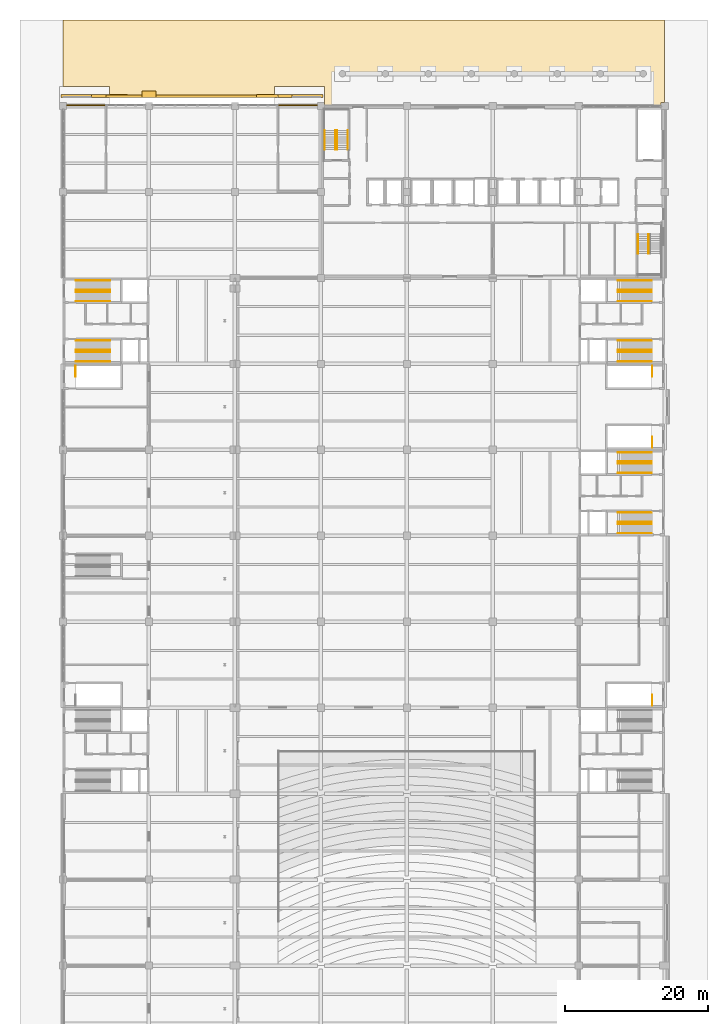
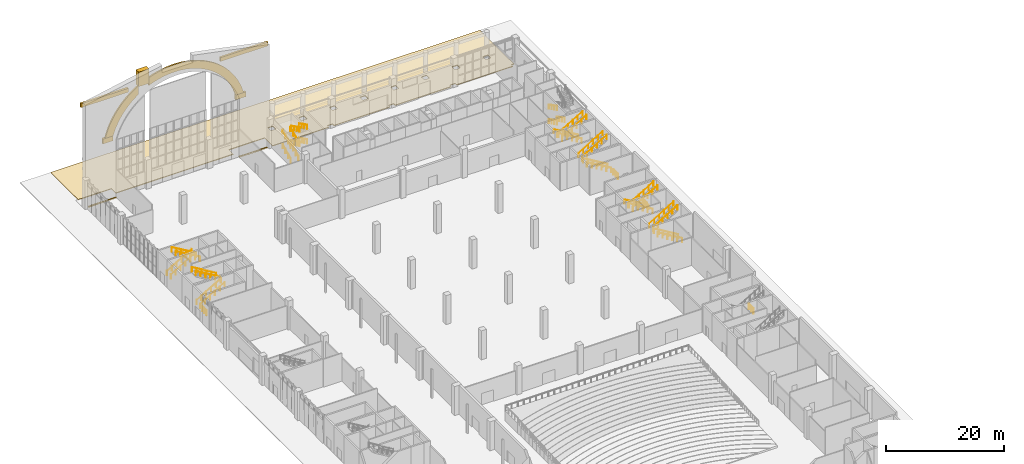
# One storey, part 58 of 59: 39 railings, 10 coverings.
"""IFC4 building model written with IfcOpenShell, lengths in metres."""

import ifcopenshell
import ifcopenshell.guid

model = None  # the IFC model being written
_history = None  # IfcOwnerHistory: only IFC2X3 demands one
_inside = {}  # id of a spatial element -> (the spatial element, [elements in it])
_under = {}  # id of a project, library or spatial element -> (it, [spatial elements below it])
_declared = {}  # id of a project -> (the project, [libraries it declares])
_typed = {}  # id of a type object -> (the type object, [elements of that type])
_made_of = {}  # id of a material, layer set ... -> (it, [elements and type objects made of it])


def new_model(schema):
    """Start an empty IFC model of exactly this schema.

    Asked for "IFC4X3", IfcOpenShell would pick the latest addendum, in which some entities
    have other attributes; the version numbers below select the first issue.
    IFC2X3 requires an IfcOwnerHistory on every rooted entity: one is made here for all.
    """
    global model, _history
    if schema == "IFC4X3":
        model = ifcopenshell.file(schema_version=(4, 3, 0, 0))
    else:
        model = ifcopenshell.file(schema=schema)
    _inside.clear()
    _under.clear()
    _declared.clear()
    _typed.clear()
    _made_of.clear()
    _history = None
    if model.schema == "IFC2X3":
        org = make("IfcOrganization", Name="unknown")
        user = make(
            "IfcPersonAndOrganization",
            ThePerson=make("IfcPerson", FamilyName="unknown"),
            TheOrganization=org,
        )
        app = make(
            "IfcApplication",
            ApplicationDeveloper=org,
            Version="unknown",
            ApplicationFullName="unknown",
            ApplicationIdentifier="unknown",
        )
        _history = make(
            "IfcOwnerHistory",
            OwningUser=user,
            OwningApplication=app,
            ChangeAction="ADDED",
            CreationDate=0,
        )
    return model


def make(cls, **values):
    """One entity of the class cls with the attributes given. An attribute that is None is left unset."""
    return model.create_entity(
        cls, **{name: value for name, value in values.items() if value is not None}
    )


def rooted(cls, **values):
    """An entity with a GlobalId (a new one), such as an element, a storey or a relation."""
    return make(cls, GlobalId=ifcopenshell.guid.new(), OwnerHistory=_history, **values)


def si_unit(unit_type, name, prefix=None):
    """IfcSIUnit, for example si_unit("LENGTHUNIT", "METRE", prefix="MILLI")."""
    return make("IfcSIUnit", UnitType=unit_type, Prefix=prefix, Name=name)


def assignment(units):
    """IfcUnitAssignment: the units of a project."""
    return None if units is None else make("IfcUnitAssignment", Units=units)


def point(xyz):
    """IfcCartesianPoint."""
    return None if xyz is None else make("IfcCartesianPoint", Coordinates=xyz)


def direction(xyz):
    """IfcDirection."""
    return None if xyz is None else make("IfcDirection", DirectionRatios=xyz)


def frame(location, z_axis=None, x_axis=None):
    """IfcAxis2Placement3D, a coordinate frame: its origin and axes. An axis left out is left unset."""
    return make(
        "IfcAxis2Placement3D",
        Location=point(location),
        Axis=direction(z_axis),
        RefDirection=direction(x_axis),
    )


def frame_2d(location, x_axis=None):
    """IfcAxis2Placement2D, a coordinate frame in the plane: its origin and x axis."""
    return make(
        "IfcAxis2Placement2D", Location=point(location), RefDirection=direction(x_axis)
    )


def origin():
    """The frame at (0, 0, 0) with its axes left unset."""
    return frame((0.0, 0.0, 0.0))


def origin_2d():
    """The frame at (0, 0) in the plane with its x axis left unset."""
    return frame_2d((0.0, 0.0))


def place(relative_to, where):
    """IfcLocalPlacement: puts the frame where relative to a parent placement (None: the world)."""
    return make(
        "IfcLocalPlacement", PlacementRelTo=relative_to, RelativePlacement=where
    )


def context(
    kind, dimensions, precision=None, world=None, true_north=None, identifier=None
):
    """IfcGeometricRepresentationContext, for example the 3D "Model" context."""
    return make(
        "IfcGeometricRepresentationContext",
        ContextIdentifier=identifier,
        ContextType=kind,
        CoordinateSpaceDimension=dimensions,
        Precision=precision,
        WorldCoordinateSystem=world,
        TrueNorth=true_north,
    )


def subcontext(parent, identifier, kind, view, scale=None):
    """IfcGeometricRepresentationSubContext, for example "Body" below "Model"."""
    return make(
        "IfcGeometricRepresentationSubContext",
        ContextIdentifier=identifier,
        ContextType=kind,
        ParentContext=parent,
        TargetScale=scale,
        TargetView=view,
    )


def project(units=None, contexts=None):
    """IfcProject with its units and contexts."""
    return rooted(
        "IfcProject",
        Name="project",
        RepresentationContexts=contexts,
        UnitsInContext=assignment(units),
    )


def spatial(cls, under=None, at=None, **own):
    """A site, building, storey or space (cls), placed at a placement, below another one or the project."""
    s = rooted(cls, ObjectPlacement=at, **own)
    if under is not None:
        _under.setdefault(under.id(), (under, []))[1].append(s)
    return s


def polyline(points):
    """IfcPolyline through the points."""
    return make("IfcPolyline", Points=[point(p) for p in points])


def profile(cls, at=None, kind="AREA", **sizes):
    """A parametric profile (cls). Its sizes go by their IFC names, for example OverallWidth=200.0."""
    return make(cls, ProfileType=kind, Position=at, **sizes)


def rectangle(**sizes):
    """IfcRectangleProfileDef."""
    return profile("IfcRectangleProfileDef", **sizes)


def circle(**sizes):
    """IfcCircleProfileDef."""
    return profile("IfcCircleProfileDef", **sizes)


def outline(outer, holes=None, kind="AREA"):
    """IfcArbitraryClosedProfileDef: a profile drawn as a closed curve; with holes, ...WithVoids."""
    if holes is None:
        return make("IfcArbitraryClosedProfileDef", ProfileType=kind, OuterCurve=outer)
    return make(
        "IfcArbitraryProfileDefWithVoids",
        ProfileType=kind,
        OuterCurve=outer,
        InnerCurves=holes,
    )


def extrude(swept, where, along, depth):
    """IfcExtrudedAreaSolid: the profile swept, set in the frame where, extruded along a direction by depth."""
    return make(
        "IfcExtrudedAreaSolid",
        SweptArea=swept,
        Position=where,
        ExtrudedDirection=direction(along),
        Depth=depth,
    )


def shape(context_of_items, identifier, shape_type, items):
    """IfcShapeRepresentation: the items that make up one representation, for example the "Body"."""
    return make(
        "IfcShapeRepresentation",
        ContextOfItems=context_of_items,
        RepresentationIdentifier=identifier,
        RepresentationType=shape_type,
        Items=items,
    )


def material(Name=None, Category=None):
    """IfcMaterial."""
    return make("IfcMaterial", Name=Name, Category=Category)


def layer(
    of_material, thickness, ventilated=None, Name=None, Category=None, Priority=None
):
    """IfcMaterialLayer: one layer of a wall or slab, of a material (None: an air gap)."""
    return make(
        "IfcMaterialLayer",
        Material=of_material,
        LayerThickness=thickness,
        IsVentilated=ventilated,
        Name=Name,
        Category=Category,
        Priority=Priority,
    )


def layer_set(layers, Name=None):
    """IfcMaterialLayerSet."""
    return make("IfcMaterialLayerSet", MaterialLayers=layers, LayerSetName=Name)


def constituent(of_material, Name=None, Category=None, fraction=None):
    """IfcMaterialConstituent: one of the materials an element consists of."""
    return make(
        "IfcMaterialConstituent",
        Name=Name,
        Material=of_material,
        Fraction=fraction,
        Category=Category,
    )


def constituent_set(constituents=None, Name=None):
    """IfcMaterialConstituentSet."""
    return make(
        "IfcMaterialConstituentSet", Name=Name, MaterialConstituents=constituents
    )


def made_of(thing, what):
    """Note that an element or type object is made of a material, layer set ...; save() writes the relation."""
    if what is not None:
        _made_of.setdefault(what.id(), (what, []))[1].append(thing)
    return thing


def type_object(cls, material=None, **own):
    """A type object (cls), such as IfcWallType, which elements share."""
    return made_of(rooted(cls, **own), material)


def element(
    cls,
    number,
    at=None,
    inside=None,
    cuts=None,
    type_object=None,
    material=None,
    context=None,
    identifier="Body",
    shape_type=None,
    held_by="IfcProductDefinitionShape",
    body=None,
    shapes=None,
    **own,
):
    """One element of the class cls, such as IfcWall. Its Tag is "e" and its number.

    at: its placement. inside: the storey or other place that contains it. cuts: it is an
    opening in that element (IfcRelVoidsElement). A single representation is given by context,
    identifier, shape_type and body (its items); several are given by shapes. held_by: the class
    of the entity that holds the representations. save() writes the other relations.
    """
    e = rooted(cls, Tag="e%d" % number, ObjectPlacement=at, **own)
    if body is not None:
        shapes = [shape(context, identifier, shape_type, body)]
    if shapes is not None:
        e.Representation = make(held_by, Representations=shapes)
    if inside is not None:
        _inside.setdefault(inside.id(), (inside, []))[1].append(e)
    if cuts is not None:
        rooted(
            "IfcRelVoidsElement", RelatingBuildingElement=cuts, RelatedOpeningElement=e
        )
    if type_object is not None:
        _typed.setdefault(type_object.id(), (type_object, []))[1].append(e)
    return made_of(e, material)


def aggregate(whole, parts):
    """IfcRelAggregates: a whole, such as a stair, and the parts it consists of."""
    return rooted("IfcRelAggregates", RelatingObject=whole, RelatedObjects=parts)


def save(model, path):
    """Write the relations noted so far, then the file.

    IfcRelAggregates (storeys below a building ...), IfcRelContainedInSpatialStructure (elements
    in a storey), IfcRelDefinesByType, IfcRelAssociatesMaterial and IfcRelDeclares: one each for
    every whole, place, type object, material and project.
    """
    for whole, parts in _under.values():
        aggregate(whole, parts)
    for where, things in _inside.values():
        rooted(
            "IfcRelContainedInSpatialStructure",
            RelatedElements=things,
            RelatingStructure=where,
        )
    for kind, things in _typed.values():
        rooted("IfcRelDefinesByType", RelatedObjects=things, RelatingType=kind)
    for what, things in _made_of.values():
        rooted("IfcRelAssociatesMaterial", RelatedObjects=things, RelatingMaterial=what)
    for by, libraries in _declared.values():
        rooted("IfcRelDeclares", RelatingContext=by, RelatedDefinitions=libraries)
    model.write(path)


model = new_model("IFC4")

# Units and contexts
model_context = context("Model", 3, precision=1e-05, world=origin(), true_north=direction((0.0, 1.0)))
body_context = subcontext(model_context, "Body", "Model", "MODEL_VIEW")
ifc_project = project(units=[si_unit("LENGTHUNIT", "METRE"), si_unit("AREAUNIT", "SQUARE_METRE"), si_unit("VOLUMEUNIT", "CUBIC_METRE"), si_unit("PLANEANGLEUNIT", "RADIAN"), si_unit("MASSUNIT", "GRAM", prefix="KILO")], contexts=[model_context])

# Site, building, storey
site_placement = place(None, origin())
site = spatial("IfcSite", under=ifc_project, at=site_placement, CompositionType="ELEMENT")
building_placement = place(site_placement, origin())
building = spatial("IfcBuilding", under=site, at=building_placement, Name="Lilac Gate Convention Centre", CompositionType="ELEMENT")
storey_placement = place(building_placement, origin())
storey = spatial("IfcBuildingStorey", under=building, at=storey_placement, Name="L00", CompositionType="ELEMENT", Elevation=0.0)

# Railings
ifc_material_1 = material(Name="Steel Q235B", Category="steel")
ifc_constituent_1 = constituent(ifc_material_1, Name="Frame")
ifc_material_2 = material(Name="Safety glass, bonded interlayer", Category="glass")
ifc_constituent_2 = constituent(ifc_material_2, Name="Infill")
ifc_constituent_set = constituent_set(constituents=[ifc_constituent_1, ifc_constituent_2], Name="Steel Q235B, Safety glass, bonded interlayer")
railing_type_1 = type_object("IfcRailingType", Name="Guard 1100 steel and glass", PredefinedType="GUARDRAIL", material=ifc_constituent_set)
for number, where, name in (
    (1, (7.75, 208.199951171875, 0.0), "Stairwell guard BW4"),
    (2, (88.25, 162.300048828125, 0.0), "Stairwell guard BE2"),
    (3, (88.25, 198.300048828125, 0.0), "Stairwell guard BE3"),
    (4, (88.25, 208.199951171875, 0.0), "Stairwell guard BE4"),
):
    element("IfcRailing", number, at=place(storey_placement, frame(where)), inside=storey, type_object=railing_type_1, Name=name, PredefinedType="GUARDRAIL", context=body_context, shape_type="SweptSolid", body=[
        extrude(circle(Radius=0.02392578125, at=origin_2d()), frame((0.0, 0.0, 1.076171875), z_axis=(0.0, 1.0, 0.0), x_axis=(-1.0, 0.0, 0.0)), (0.0, 0.0, 1.0), 1.5),
        extrude(circle(Radius=0.02099609375, at=origin_2d()), origin(), (0.0, 0.0, 1.0), 1.052001953125),
        extrude(circle(Radius=0.02099609375, at=origin_2d()), frame((0.0, 0.75, 0.0)), (0.0, 0.0, 1.0), 1.052001953125),
        extrude(circle(Radius=0.02099609375, at=origin_2d()), frame((0.0, 1.5, 0.0)), (0.0, 0.0, 1.0), 1.052001953125),
    ])

# Coverings
ifc_material_3 = material(Name="Concrete C30", Category="concrete")
ifc_layer_1 = layer(ifc_material_3, 0.14990234375)
ifc_layer_set_1 = layer_set([ifc_layer_1], Name="Concrete C30")
covering_type_1 = type_object("IfcCoveringType", Name="Paving slab 150", PredefinedType="FLOORING", material=ifc_layer_set_1)
covering_1_placement = place(storey_placement, frame((0.0, 0.0, -0.14990234375)))
element("IfcCovering", 5, at=covering_1_placement, inside=storey, type_object=covering_type_1, Name="Forecourt paving 1", PredefinedType="FLOORING", context=body_context, shape_type="SweptSolid", body=[
    extrude(outline(polyline([(6.0, 258.0), (90.0, 258.0), (90.0, 246.5), (89.5, 246.5), (89.5, 246.0), (78.5, 246.0), (78.5, 246.5), (77.5, 246.5), (77.5, 246.0), (66.5, 246.0), (66.5, 246.5), (65.5, 246.5), (65.5, 246.0), (54.5, 246.0), (54.5, 246.5), (53.5, 246.5), (53.5, 246.0), (42.5, 246.0), (42.5, 248.699951171875), (35.5, 248.699951171875), (35.5, 247.199951171875), (12.5, 247.199951171875), (12.5, 248.699951171875), (6.0, 248.699951171875), (6.0, 258.0)]), holes=[polyline([(44.5, 251.0), (44.5, 250.0), (45.5, 250.0), (45.5, 251.0), (44.5, 251.0)]), polyline([(63.5, 251.0), (62.5, 251.0), (62.5, 250.0), (63.5, 250.0), (63.5, 251.0)]), polyline([(50.5, 251.0), (50.5, 250.0), (51.5, 250.0), (51.5, 251.0), (50.5, 251.0)]), polyline([(57.5, 251.0), (56.5, 251.0), (56.5, 250.0), (57.5, 250.0), (57.5, 251.0)]), polyline([(69.5, 251.0), (68.5, 251.0), (68.5, 250.0), (69.5, 250.0), (69.5, 251.0)]), polyline([(74.5, 251.0), (74.5, 250.0), (75.5, 250.0), (75.5, 251.0), (74.5, 251.0)]), polyline([(81.5, 251.0), (80.5, 251.0), (80.5, 250.0), (81.5, 250.0), (81.5, 251.0)]), polyline([(87.5, 251.0), (86.5, 251.0), (86.5, 250.0), (87.5, 250.0), (87.5, 251.0)])]), origin(), (0.0, 0.0, 1.0), 0.14990234375),
])
covering_2_placement = place(storey_placement, frame((0.0, 0.0, -0.14990234375)))
element("IfcCovering", 6, at=covering_2_placement, inside=storey, type_object=covering_type_1, Name="Forecourt paving 2", PredefinedType="FLOORING", context=body_context, shape_type="SweptSolid", body=[
    extrude(outline(polyline([(6.5, 246.0), (6.5, 246.199951171875), (12.0, 246.199951171875), (12.0, 246.0), (6.5, 246.0)])), origin(), (0.0, 0.0, 1.0), 0.14990234375),
])
covering_3_placement = place(storey_placement, frame((0.0, 0.0, -0.14990234375)))
element("IfcCovering", 7, at=covering_3_placement, inside=storey, type_object=covering_type_1, Name="Forecourt paving 3", PredefinedType="FLOORING", context=body_context, shape_type="SweptSolid", body=[
    extrude(outline(polyline([(36.0, 246.0), (36.0, 246.199951171875), (41.5, 246.199951171875), (41.5, 246.0), (36.0, 246.0)])), origin(), (0.0, 0.0, 1.0), 0.14990234375),
])
ifc_material_4 = material(Name="Concrete C40 precast", Category="concrete")
ifc_layer_2 = layer(ifc_material_4, 0.280029296875)
ifc_material_5 = material(Name="Ochre mineral render")
ifc_layer_3 = layer(ifc_material_5, 0.02001953125)
ifc_layer_set_2 = layer_set([ifc_layer_2, ifc_layer_3], Name="Concrete C40 precast, Ochre mineral render")
covering_type_2 = type_object("IfcCoveringType", Name="Portal archivolt 300", PredefinedType="CLADDING", material=ifc_layer_set_2)
covering_4_placement = place(storey_placement, frame((10.444580078125, 247.35009765625, 12.0), z_axis=(0.0, 0.0, 1.0), x_axis=(1.0, 0.0, 0.0)))
element("IfcCovering", 8, at=covering_4_placement, inside=storey, type_object=covering_type_2, Name="Portal archivolt L", PredefinedType="CLADDING", context=body_context, shape_type="SweptSolid", body=[
    extrude(outline(polyline([(0.0, 0.0), (1.555419921875, 0.0), (1.555419921875, 0.0), (2.055419921875, 1.39892578125), (2.555419921875, 2.437255859375), (3.055419921875, 3.2822265625), (3.555419921875, 4.0), (4.055419921875, 4.6240234375), (4.555419921875, 5.1748046875), (5.055419921875, 5.665283203125), (5.555419921875, 6.104736328125), (6.055419921875, 6.5), (6.555419921875, 6.856201171875), (6.555419921875, 8.62451171875), (6.05126953125, 8.31884765625), (5.546875, 7.983154296875), (5.04248046875, 7.614501953125), (4.538330078125, 7.20947265625), (4.0341796875, 6.763671875), (3.52978515625, 6.271728515625), (3.025634765625, 5.726318359375), (2.521240234375, 5.11669921875), (2.01708984375, 4.4287109375), (1.5126953125, 3.6396484375), (1.008544921875, 2.7109375), (0.50439453125, 1.566162109375), (0.0, 0.0), (0.0, 0.0)])), frame((0.0, 0.14990234375, 0.0), z_axis=(0.0, -1.0, 0.0), x_axis=(1.0, 0.0, 0.0)), (0.0, 0.0, 1.0), 0.300048828125),
])
covering_5_placement = place(storey_placement, frame((19.0, 247.35009765625, 12.0), z_axis=(0.0, 0.0, 1.0), x_axis=(1.0, 0.0, 0.0)))
element("IfcCovering", 9, at=covering_5_placement, inside=storey, type_object=covering_type_2, Name="Portal archivolt R", PredefinedType="CLADDING", context=body_context, shape_type="SweptSolid", body=[
    extrude(outline(polyline([(0.0, 7.956298828125), (0.5, 8.161865234375), (1.0, 8.3427734375), (1.5, 8.5), (2.0, 8.634765625), (2.5, 8.747314453125), (3.0, 8.839111328125), (3.5, 8.90966796875), (4.0, 8.9599609375), (4.5, 8.989990234375), (5.0, 9.0), (5.5, 8.989990234375), (6.0, 8.9599609375), (6.5, 8.90966796875), (7.0, 8.839111328125), (7.5, 8.747314453125), (8.0, 8.634765625), (8.5, 8.5), (9.0, 8.3427734375), (9.5, 8.161865234375), (10.0, 7.956298828125), (10.5, 7.72509765625), (11.0, 7.4658203125), (11.5, 7.177001953125), (12.0, 6.856201171875), (12.5, 6.5), (13.0, 6.104736328125), (13.5, 5.665283203125), (14.0, 5.1748046875), (14.5, 4.6240234375), (15.0, 4.0), (15.5, 3.2822265625), (16.0, 2.437255859375), (16.5, 1.39892578125), (17.0, 0.0), (17.0, 0.0), (18.555419921875, 0.0), (18.555419921875, 0.0), (18.053955078125, 1.55908203125), (17.552490234375, 2.69970703125), (17.05078125, 3.62548828125), (16.54931640625, 4.41259765625), (16.0478515625, 5.09912109375), (15.54638671875, 5.707275390625), (15.044921875, 6.251953125), (14.54345703125, 6.7431640625), (14.0419921875, 7.1884765625), (13.54052734375, 7.59326171875), (13.0390625, 7.9619140625), (12.53759765625, 8.297607421875), (12.035888671875, 8.603515625), (11.534423828125, 8.881591796875), (11.032958984375, 9.13330078125), (10.531494140625, 9.36083984375), (10.030029296875, 9.565185546875), (9.528564453125, 9.747314453125), (9.027099609375, 9.908203125), (8.525390625, 10.048828125), (8.02392578125, 10.16943359375), (7.5224609375, 10.27099609375), (7.02099609375, 10.353515625), (6.51953125, 10.417236328125), (6.01806640625, 10.462890625), (5.5166015625, 10.490478515625), (5.014892578125, 10.5), (4.513427734375, 10.491455078125), (4.011962890625, 10.465087890625), (3.510498046875, 10.42041015625), (3.009033203125, 10.357666015625), (2.507568359375, 10.2763671875), (2.006103515625, 10.176025390625), (1.50439453125, 10.056640625), (1.0029296875, 9.917236328125), (0.50146484375, 9.757568359375), (0.0, 9.57666015625), (0.0, 7.956298828125)])), frame((0.0, 0.14990234375, 0.0), z_axis=(0.0, -1.0, 0.0), x_axis=(1.0, 0.0, 0.0)), (0.0, 0.0, 1.0), 0.300048828125),
])
ifc_layer_4 = layer(ifc_material_4, 0.3798828125)
ifc_material_6 = material(Name="Terracotta glazed cladding", Category="masonry")
ifc_layer_5 = layer(ifc_material_6, 0.02001953125)
ifc_layer_set_3 = layer_set([ifc_layer_4, ifc_layer_5], Name="Concrete C40 precast, Terracotta glazed cladding")
covering_type_3 = type_object("IfcCoveringType", Name="Portal impost 400", PredefinedType="CLADDING", material=ifc_layer_set_3)
for number, where, z_axis, x_axis, name in (
    (10, (10.0, 247.39990234375, 11.0), (0.0, 0.0, 1.0), (1.0, 0.0, 0.0), "Portal impost L"),
    (11, (36.0, 247.39990234375, 11.0), (0.0, 0.0, 1.0), (1.0, 0.0, 0.0), "Portal impost R"),
):
    element("IfcCovering", number, at=place(storey_placement, frame(where, z_axis=z_axis, x_axis=x_axis)), inside=storey, type_object=covering_type_3, Name=name, PredefinedType="CLADDING", context=body_context, shape_type="SweptSolid", body=[
        extrude(rectangle(XDim=2.0, YDim=0.39990234375, at=frame_2d((1.0, 0.0))), origin(), (0.0, 0.0, 1.0), 1.0),
    ])
for number, where, z_axis, x_axis, name in (
    (12, (5.699951171875, 247.39990234375, 20.0), (0.0, 0.0, 1.0), (1.0, 0.0, 0.0), "Portal cornice L"),
    (13, (33.0, 247.39990234375, 20.0), (0.0, 0.0, 1.0), (1.0, 0.0, 0.0), "Portal cornice R"),
):
    element("IfcCovering", number, at=place(storey_placement, frame(where, z_axis=z_axis, x_axis=x_axis)), inside=storey, type_object=covering_type_3, Name=name, PredefinedType="CLADDING", context=body_context, shape_type="SweptSolid", body=[
        extrude(rectangle(XDim=9.300048828125, YDim=0.39990234375, at=frame_2d((4.64990234375, 0.0))), origin(), (0.0, 0.0, 1.0), 0.800048828125),
    ])
ifc_layer_6 = layer(ifc_material_4, 0.8798828125)
ifc_layer_7 = layer(ifc_material_6, 0.02001953125)
ifc_layer_set_4 = layer_set([ifc_layer_6, ifc_layer_7], Name="Concrete C40 precast, Terracotta glazed cladding")
covering_type_4 = type_object("IfcCoveringType", Name="Portal keystone 900", PredefinedType="CLADDING", material=ifc_layer_set_4)
covering_6_placement = place(storey_placement, frame((17.0, 247.64990234375, 20.39990234375), z_axis=(0.0, 0.0, 1.0), x_axis=(1.0, 0.0, 0.0)))
element("IfcCovering", 14, at=covering_6_placement, inside=storey, type_object=covering_type_4, Name="Portal keystone", PredefinedType="CLADDING", context=body_context, shape_type="SweptSolid", body=[
    extrude(rectangle(XDim=2.0, YDim=0.89990234375, at=frame_2d((1.0, 0.0))), origin(), (0.0, 0.0, 1.0), 3.0),
])

# Railings
ifc_material_7 = material(Name="Stainless steel 304", Category="steel")
railing_type_2 = type_object("IfcRailingType", Name="Stair handrail", PredefinedType="HANDRAIL", material=ifc_material_7)
for number, where, name in (
    (15, (42.550048828125, 239.89990234375, 0.14990234375), "Handrail NW L00 flight 1"),
    (16, (44.050048828125, 239.89990234375, 0.14990234375), "Handrail NW L00 flight 1"),
):
    element("IfcRailing", number, at=place(storey_placement, frame(where)), inside=storey, type_object=railing_type_2, Name=name, PredefinedType="HANDRAIL", context=body_context, shape_type="SweptSolid", body=[
        extrude(circle(Radius=0.02392578125, at=origin_2d()), frame((0.0, 0.0, 0.8759765625), z_axis=(0.0, 0.894427191, 0.4472135955), x_axis=(-1.0, 0.0, 0.0)), (0.0, 0.0, 1.0), 3.018798828125),
        extrude(circle(Radius=0.02099609375, at=origin_2d()), origin(), (0.0, 0.0, 1.0), 0.851806640625),
        extrude(circle(Radius=0.02099609375, at=origin_2d()), frame((0.0, 0.900146484375, 0.449951171875)), (0.0, 0.0, 1.0), 0.851806640625),
        extrude(circle(Radius=0.02099609375, at=origin_2d()), frame((0.0, 1.800048828125, 0.900146484375)), (0.0, 0.0, 1.0), 0.851806640625),
        extrude(circle(Radius=0.02099609375, at=origin_2d()), frame((0.0, 2.7001953125, 1.35009765625)), (0.0, 0.0, 1.0), 0.851806640625),
    ])
for number, where, name in (
    (17, (45.75, 242.60009765625, 1.64990234375), "Handrail NW L00 flight 2"),
    (18, (44.25, 242.60009765625, 1.64990234375), "Handrail NW L00 flight 2"),
):
    element("IfcRailing", number, at=place(storey_placement, frame(where)), inside=storey, type_object=railing_type_2, Name=name, PredefinedType="HANDRAIL", context=body_context, shape_type="SweptSolid", body=[
        extrude(circle(Radius=0.02392578125, at=origin_2d()), frame((0.0, 0.0, 0.8759765625), z_axis=(0.0, -0.894427191, 0.4472135955), x_axis=(1.0, 0.0, 0.0)), (0.0, 0.0, 1.0), 3.018798828125),
        extrude(circle(Radius=0.02099609375, at=origin_2d()), origin(), (0.0, 0.0, 1.0), 0.851806640625),
        extrude(circle(Radius=0.02099609375, at=origin_2d()), frame((0.0, -0.900146484375, 0.449951171875)), (0.0, 0.0, 1.0), 0.851806640625),
        extrude(circle(Radius=0.02099609375, at=origin_2d()), frame((0.0, -1.800048828125, 0.900146484375)), (0.0, 0.0, 1.0), 0.851806640625),
        extrude(circle(Radius=0.02099609375, at=origin_2d()), frame((0.0, -2.7001953125, 1.35009765625)), (0.0, 0.0, 1.0), 0.851806640625),
    ])
for number, where, name in (
    (19, (42.550048828125, 239.89990234375, 3.14990234375), "Handrail NW L00 flight 3"),
    (20, (44.050048828125, 239.89990234375, 3.14990234375), "Handrail NW L00 flight 3"),
):
    element("IfcRailing", number, at=place(storey_placement, frame(where)), inside=storey, type_object=railing_type_2, Name=name, PredefinedType="HANDRAIL", context=body_context, shape_type="SweptSolid", body=[
        extrude(circle(Radius=0.02392578125, at=origin_2d()), frame((0.0, 0.0, 0.8759765625), z_axis=(0.0, 0.894427191, 0.4472135955), x_axis=(-1.0, 0.0, 0.0)), (0.0, 0.0, 1.0), 3.018798828125),
        extrude(circle(Radius=0.02099609375, at=origin_2d()), origin(), (0.0, 0.0, 1.0), 0.851806640625),
        extrude(circle(Radius=0.02099609375, at=origin_2d()), frame((0.0, 0.900146484375, 0.449951171875)), (0.0, 0.0, 1.0), 0.851806640625),
        extrude(circle(Radius=0.02099609375, at=origin_2d()), frame((0.0, 1.800048828125, 0.900146484375)), (0.0, 0.0, 1.0), 0.851806640625),
        extrude(circle(Radius=0.02099609375, at=origin_2d()), frame((0.0, 2.7001953125, 1.35009765625)), (0.0, 0.0, 1.0), 0.851806640625),
    ])
for number, where, name in (
    (21, (45.75, 242.60009765625, 4.64990234375), "Handrail NW L00 flight 4"),
    (22, (44.25, 242.60009765625, 4.64990234375), "Handrail NW L00 flight 4"),
    (23, (87.75, 228.10009765625, 0.14990234375), "Handrail SE L00 flight 1"),
    (24, (86.25, 228.10009765625, 0.14990234375), "Handrail SE L00 flight 1"),
    (25, (86.25, 228.10009765625, 3.14990234375), "Handrail SE L00 flight 3"),
):
    element("IfcRailing", number, at=place(storey_placement, frame(where)), inside=storey, type_object=railing_type_2, Name=name, PredefinedType="HANDRAIL", context=body_context, shape_type="SweptSolid", body=[
        extrude(circle(Radius=0.02392578125, at=origin_2d()), frame((0.0, 0.0, 0.8759765625), z_axis=(0.0, -0.894427191, 0.4472135955), x_axis=(1.0, 0.0, 0.0)), (0.0, 0.0, 1.0), 3.018798828125),
        extrude(circle(Radius=0.02099609375, at=origin_2d()), origin(), (0.0, 0.0, 1.0), 0.851806640625),
        extrude(circle(Radius=0.02099609375, at=origin_2d()), frame((0.0, -0.900146484375, 0.449951171875)), (0.0, 0.0, 1.0), 0.851806640625),
        extrude(circle(Radius=0.02099609375, at=origin_2d()), frame((0.0, -1.800048828125, 0.900146484375)), (0.0, 0.0, 1.0), 0.851806640625),
        extrude(circle(Radius=0.02099609375, at=origin_2d()), frame((0.0, -2.7001953125, 1.35009765625)), (0.0, 0.0, 1.0), 0.851806640625),
    ])
railing_type_3 = type_object("IfcRailingType", Name="Stair handrail 900", PredefinedType="HANDRAIL", material=ifc_material_7)
for number, where, name in (
    (26, (7.800048828125, 210.35009765625, 0.166748046875), "Stair handrail W4A"),
    (27, (7.800048828125, 211.64990234375, 0.166748046875), "Stair handrail W4A"),
):
    element("IfcRailing", number, at=place(storey_placement, frame(where)), inside=storey, type_object=railing_type_3, Name=name, PredefinedType="HANDRAIL", context=body_context, shape_type="SweptSolid", body=[
        extrude(circle(Radius=0.02392578125, at=origin_2d()), frame((0.0, 0.0, 0.8759765625), z_axis=(0.859299802514, 0.0, 0.511472237174), x_axis=(0.0, 1.0, 0.0)), (0.0, 0.0, 1.0), 5.539306640625),
        extrude(circle(Radius=0.02099609375, at=origin_2d()), origin(), (0.0, 0.0, 1.0), 0.851806640625),
        extrude(circle(Radius=0.02099609375, at=origin_2d()), frame((0.951904296875, 0.0, 0.566650390625)), (0.0, 0.0, 1.0), 0.851806640625),
        extrude(circle(Radius=0.02099609375, at=origin_2d()), frame((1.904052734375, 0.0, 1.13330078125)), (0.0, 0.0, 1.0), 0.851806640625),
        extrude(circle(Radius=0.02099609375, at=origin_2d()), frame((2.85595703125, 0.0, 1.699951171875)), (0.0, 0.0, 1.0), 0.851806640625),
        extrude(circle(Radius=0.02099609375, at=origin_2d()), frame((3.80810546875, 0.0, 2.2666015625)), (0.0, 0.0, 1.0), 0.851806640625),
        extrude(circle(Radius=0.02099609375, at=origin_2d()), frame((4.760009765625, 0.0, 2.833251953125)), (0.0, 0.0, 1.0), 0.851806640625),
    ])
for number, where, name in (
    (28, (12.56005859375, 211.949951171875, 3.166748046875), "Stair handrail W4A"),
    (29, (12.56005859375, 213.25, 3.166748046875), "Stair handrail W4A"),
):
    element("IfcRailing", number, at=place(storey_placement, frame(where)), inside=storey, type_object=railing_type_3, Name=name, PredefinedType="HANDRAIL", context=body_context, shape_type="SweptSolid", body=[
        extrude(circle(Radius=0.02392578125, at=origin_2d()), frame((0.0, 0.0, 0.8759765625), z_axis=(-0.859299802514, 0.0, 0.511472237174), x_axis=(0.0, -1.0, 0.0)), (0.0, 0.0, 1.0), 5.539306640625),
        extrude(circle(Radius=0.02099609375, at=origin_2d()), origin(), (0.0, 0.0, 1.0), 0.851806640625),
        extrude(circle(Radius=0.02099609375, at=origin_2d()), frame((-0.951904296875, 0.0, 0.566650390625)), (0.0, 0.0, 1.0), 0.851806640625),
        extrude(circle(Radius=0.02099609375, at=origin_2d()), frame((-1.904052734375, 0.0, 1.13330078125)), (0.0, 0.0, 1.0), 0.851806640625),
        extrude(circle(Radius=0.02099609375, at=origin_2d()), frame((-2.85595703125, 0.0, 1.699951171875)), (0.0, 0.0, 1.0), 0.851806640625),
        extrude(circle(Radius=0.02099609375, at=origin_2d()), frame((-3.80810546875, 0.0, 2.2666015625)), (0.0, 0.0, 1.0), 0.851806640625),
        extrude(circle(Radius=0.02099609375, at=origin_2d()), frame((-4.760009765625, 0.0, 2.833251953125)), (0.0, 0.0, 1.0), 0.851806640625),
    ])
for number, where, name in (
    (30, (7.800048828125, 220.35009765625, 0.166748046875), "Stair handrail W4B"),
    (31, (7.800048828125, 221.64990234375, 0.166748046875), "Stair handrail W4B"),
):
    element("IfcRailing", number, at=place(storey_placement, frame(where)), inside=storey, type_object=railing_type_3, Name=name, PredefinedType="HANDRAIL", context=body_context, shape_type="SweptSolid", body=[
        extrude(circle(Radius=0.02392578125, at=origin_2d()), frame((0.0, 0.0, 0.8759765625), z_axis=(0.859299802514, 0.0, 0.511472237174), x_axis=(0.0, 1.0, 0.0)), (0.0, 0.0, 1.0), 5.539306640625),
        extrude(circle(Radius=0.02099609375, at=origin_2d()), origin(), (0.0, 0.0, 1.0), 0.851806640625),
        extrude(circle(Radius=0.02099609375, at=origin_2d()), frame((0.951904296875, 0.0, 0.566650390625)), (0.0, 0.0, 1.0), 0.851806640625),
        extrude(circle(Radius=0.02099609375, at=origin_2d()), frame((1.904052734375, 0.0, 1.13330078125)), (0.0, 0.0, 1.0), 0.851806640625),
        extrude(circle(Radius=0.02099609375, at=origin_2d()), frame((2.85595703125, 0.0, 1.699951171875)), (0.0, 0.0, 1.0), 0.851806640625),
        extrude(circle(Radius=0.02099609375, at=origin_2d()), frame((3.80810546875, 0.0, 2.2666015625)), (0.0, 0.0, 1.0), 0.851806640625),
        extrude(circle(Radius=0.02099609375, at=origin_2d()), frame((4.760009765625, 0.0, 2.833251953125)), (0.0, 0.0, 1.0), 0.851806640625),
    ])
for number, where, name in (
    (32, (12.56005859375, 218.75, 3.166748046875), "Stair handrail W4B"),
    (33, (12.56005859375, 220.050048828125, 3.166748046875), "Stair handrail W4B"),
    (34, (88.199951171875, 186.35009765625, 0.166748046875), "Stair handrail E3A"),
    (35, (88.199951171875, 187.64990234375, 0.166748046875), "Stair handrail E3A"),
):
    element("IfcRailing", number, at=place(storey_placement, frame(where)), inside=storey, type_object=railing_type_3, Name=name, PredefinedType="HANDRAIL", context=body_context, shape_type="SweptSolid", body=[
        extrude(circle(Radius=0.02392578125, at=origin_2d()), frame((0.0, 0.0, 0.8759765625), z_axis=(-0.859299802514, 0.0, 0.511472237174), x_axis=(0.0, -1.0, 0.0)), (0.0, 0.0, 1.0), 5.539306640625),
        extrude(circle(Radius=0.02099609375, at=origin_2d()), origin(), (0.0, 0.0, 1.0), 0.851806640625),
        extrude(circle(Radius=0.02099609375, at=origin_2d()), frame((-0.951904296875, 0.0, 0.566650390625)), (0.0, 0.0, 1.0), 0.851806640625),
        extrude(circle(Radius=0.02099609375, at=origin_2d()), frame((-1.904052734375, 0.0, 1.13330078125)), (0.0, 0.0, 1.0), 0.851806640625),
        extrude(circle(Radius=0.02099609375, at=origin_2d()), frame((-2.85595703125, 0.0, 1.699951171875)), (0.0, 0.0, 1.0), 0.851806640625),
        extrude(circle(Radius=0.02099609375, at=origin_2d()), frame((-3.80810546875, 0.0, 2.2666015625)), (0.0, 0.0, 1.0), 0.851806640625),
        extrude(circle(Radius=0.02099609375, at=origin_2d()), frame((-4.760009765625, 0.0, 2.833251953125)), (0.0, 0.0, 1.0), 0.851806640625),
    ])
for number, where, name in (
    (36, (83.43994140625, 187.949951171875, 3.166748046875), "Stair handrail E3A"),
    (37, (83.43994140625, 189.25, 3.166748046875), "Stair handrail E3A"),
):
    element("IfcRailing", number, at=place(storey_placement, frame(where)), inside=storey, type_object=railing_type_3, Name=name, PredefinedType="HANDRAIL", context=body_context, shape_type="SweptSolid", body=[
        extrude(circle(Radius=0.02392578125, at=origin_2d()), frame((0.0, 0.0, 0.8759765625), z_axis=(0.859299802514, 0.0, 0.511472237174), x_axis=(0.0, 1.0, 0.0)), (0.0, 0.0, 1.0), 5.539306640625),
        extrude(circle(Radius=0.02099609375, at=origin_2d()), origin(), (0.0, 0.0, 1.0), 0.851806640625),
        extrude(circle(Radius=0.02099609375, at=origin_2d()), frame((0.951904296875, 0.0, 0.566650390625)), (0.0, 0.0, 1.0), 0.851806640625),
        extrude(circle(Radius=0.02099609375, at=origin_2d()), frame((1.904052734375, 0.0, 1.13330078125)), (0.0, 0.0, 1.0), 0.851806640625),
        extrude(circle(Radius=0.02099609375, at=origin_2d()), frame((2.85595703125, 0.0, 1.699951171875)), (0.0, 0.0, 1.0), 0.851806640625),
        extrude(circle(Radius=0.02099609375, at=origin_2d()), frame((3.80810546875, 0.0, 2.2666015625)), (0.0, 0.0, 1.0), 0.851806640625),
        extrude(circle(Radius=0.02099609375, at=origin_2d()), frame((4.760009765625, 0.0, 2.833251953125)), (0.0, 0.0, 1.0), 0.851806640625),
    ])
for number, where, name in (
    (38, (88.199951171875, 196.35009765625, 0.166748046875), "Stair handrail E3B"),
    (39, (88.199951171875, 197.64990234375, 0.166748046875), "Stair handrail E3B"),
):
    element("IfcRailing", number, at=place(storey_placement, frame(where)), inside=storey, type_object=railing_type_3, Name=name, PredefinedType="HANDRAIL", context=body_context, shape_type="SweptSolid", body=[
        extrude(circle(Radius=0.02392578125, at=origin_2d()), frame((0.0, 0.0, 0.8759765625), z_axis=(-0.859299802514, 0.0, 0.511472237174), x_axis=(0.0, -1.0, 0.0)), (0.0, 0.0, 1.0), 5.539306640625),
        extrude(circle(Radius=0.02099609375, at=origin_2d()), origin(), (0.0, 0.0, 1.0), 0.851806640625),
        extrude(circle(Radius=0.02099609375, at=origin_2d()), frame((-0.951904296875, 0.0, 0.566650390625)), (0.0, 0.0, 1.0), 0.851806640625),
        extrude(circle(Radius=0.02099609375, at=origin_2d()), frame((-1.904052734375, 0.0, 1.13330078125)), (0.0, 0.0, 1.0), 0.851806640625),
        extrude(circle(Radius=0.02099609375, at=origin_2d()), frame((-2.85595703125, 0.0, 1.699951171875)), (0.0, 0.0, 1.0), 0.851806640625),
        extrude(circle(Radius=0.02099609375, at=origin_2d()), frame((-3.80810546875, 0.0, 2.2666015625)), (0.0, 0.0, 1.0), 0.851806640625),
        extrude(circle(Radius=0.02099609375, at=origin_2d()), frame((-4.760009765625, 0.0, 2.833251953125)), (0.0, 0.0, 1.0), 0.851806640625),
    ])
for number, where, name in (
    (40, (83.43994140625, 194.75, 3.166748046875), "Stair handrail E3B"),
    (41, (83.43994140625, 196.050048828125, 3.166748046875), "Stair handrail E3B"),
):
    element("IfcRailing", number, at=place(storey_placement, frame(where)), inside=storey, type_object=railing_type_3, Name=name, PredefinedType="HANDRAIL", context=body_context, shape_type="SweptSolid", body=[
        extrude(circle(Radius=0.02392578125, at=origin_2d()), frame((0.0, 0.0, 0.8759765625), z_axis=(0.859299802514, 0.0, 0.511472237174), x_axis=(0.0, 1.0, 0.0)), (0.0, 0.0, 1.0), 5.539306640625),
        extrude(circle(Radius=0.02099609375, at=origin_2d()), origin(), (0.0, 0.0, 1.0), 0.851806640625),
        extrude(circle(Radius=0.02099609375, at=origin_2d()), frame((0.951904296875, 0.0, 0.566650390625)), (0.0, 0.0, 1.0), 0.851806640625),
        extrude(circle(Radius=0.02099609375, at=origin_2d()), frame((1.904052734375, 0.0, 1.13330078125)), (0.0, 0.0, 1.0), 0.851806640625),
        extrude(circle(Radius=0.02099609375, at=origin_2d()), frame((2.85595703125, 0.0, 1.699951171875)), (0.0, 0.0, 1.0), 0.851806640625),
        extrude(circle(Radius=0.02099609375, at=origin_2d()), frame((3.80810546875, 0.0, 2.2666015625)), (0.0, 0.0, 1.0), 0.851806640625),
        extrude(circle(Radius=0.02099609375, at=origin_2d()), frame((4.760009765625, 0.0, 2.833251953125)), (0.0, 0.0, 1.0), 0.851806640625),
    ])
for number, where, name in (
    (42, (88.199951171875, 210.35009765625, 0.166748046875), "Stair handrail E4A"),
    (43, (88.199951171875, 211.64990234375, 0.166748046875), "Stair handrail E4A"),
):
    element("IfcRailing", number, at=place(storey_placement, frame(where)), inside=storey, type_object=railing_type_3, Name=name, PredefinedType="HANDRAIL", context=body_context, shape_type="SweptSolid", body=[
        extrude(circle(Radius=0.02392578125, at=origin_2d()), frame((0.0, 0.0, 0.8759765625), z_axis=(-0.859299802514, 0.0, 0.511472237174), x_axis=(0.0, -1.0, 0.0)), (0.0, 0.0, 1.0), 5.539306640625),
        extrude(circle(Radius=0.02099609375, at=origin_2d()), origin(), (0.0, 0.0, 1.0), 0.851806640625),
        extrude(circle(Radius=0.02099609375, at=origin_2d()), frame((-0.951904296875, 0.0, 0.566650390625)), (0.0, 0.0, 1.0), 0.851806640625),
        extrude(circle(Radius=0.02099609375, at=origin_2d()), frame((-1.904052734375, 0.0, 1.13330078125)), (0.0, 0.0, 1.0), 0.851806640625),
        extrude(circle(Radius=0.02099609375, at=origin_2d()), frame((-2.85595703125, 0.0, 1.699951171875)), (0.0, 0.0, 1.0), 0.851806640625),
        extrude(circle(Radius=0.02099609375, at=origin_2d()), frame((-3.80810546875, 0.0, 2.2666015625)), (0.0, 0.0, 1.0), 0.851806640625),
        extrude(circle(Radius=0.02099609375, at=origin_2d()), frame((-4.760009765625, 0.0, 2.833251953125)), (0.0, 0.0, 1.0), 0.851806640625),
    ])
for number, where, name in (
    (44, (83.43994140625, 211.949951171875, 3.166748046875), "Stair handrail E4A"),
    (45, (83.43994140625, 213.25, 3.166748046875), "Stair handrail E4A"),
):
    element("IfcRailing", number, at=place(storey_placement, frame(where)), inside=storey, type_object=railing_type_3, Name=name, PredefinedType="HANDRAIL", context=body_context, shape_type="SweptSolid", body=[
        extrude(circle(Radius=0.02392578125, at=origin_2d()), frame((0.0, 0.0, 0.8759765625), z_axis=(0.859299802514, 0.0, 0.511472237174), x_axis=(0.0, 1.0, 0.0)), (0.0, 0.0, 1.0), 5.539306640625),
        extrude(circle(Radius=0.02099609375, at=origin_2d()), origin(), (0.0, 0.0, 1.0), 0.851806640625),
        extrude(circle(Radius=0.02099609375, at=origin_2d()), frame((0.951904296875, 0.0, 0.566650390625)), (0.0, 0.0, 1.0), 0.851806640625),
        extrude(circle(Radius=0.02099609375, at=origin_2d()), frame((1.904052734375, 0.0, 1.13330078125)), (0.0, 0.0, 1.0), 0.851806640625),
        extrude(circle(Radius=0.02099609375, at=origin_2d()), frame((2.85595703125, 0.0, 1.699951171875)), (0.0, 0.0, 1.0), 0.851806640625),
        extrude(circle(Radius=0.02099609375, at=origin_2d()), frame((3.80810546875, 0.0, 2.2666015625)), (0.0, 0.0, 1.0), 0.851806640625),
        extrude(circle(Radius=0.02099609375, at=origin_2d()), frame((4.760009765625, 0.0, 2.833251953125)), (0.0, 0.0, 1.0), 0.851806640625),
    ])
for number, where, name in (
    (46, (88.199951171875, 220.35009765625, 0.166748046875), "Stair handrail E4B"),
    (47, (88.199951171875, 221.64990234375, 0.166748046875), "Stair handrail E4B"),
):
    element("IfcRailing", number, at=place(storey_placement, frame(where)), inside=storey, type_object=railing_type_3, Name=name, PredefinedType="HANDRAIL", context=body_context, shape_type="SweptSolid", body=[
        extrude(circle(Radius=0.02392578125, at=origin_2d()), frame((0.0, 0.0, 0.8759765625), z_axis=(-0.859299802514, 0.0, 0.511472237174), x_axis=(0.0, -1.0, 0.0)), (0.0, 0.0, 1.0), 5.539306640625),
        extrude(circle(Radius=0.02099609375, at=origin_2d()), origin(), (0.0, 0.0, 1.0), 0.851806640625),
        extrude(circle(Radius=0.02099609375, at=origin_2d()), frame((-0.951904296875, 0.0, 0.566650390625)), (0.0, 0.0, 1.0), 0.851806640625),
        extrude(circle(Radius=0.02099609375, at=origin_2d()), frame((-1.904052734375, 0.0, 1.13330078125)), (0.0, 0.0, 1.0), 0.851806640625),
        extrude(circle(Radius=0.02099609375, at=origin_2d()), frame((-2.85595703125, 0.0, 1.699951171875)), (0.0, 0.0, 1.0), 0.851806640625),
        extrude(circle(Radius=0.02099609375, at=origin_2d()), frame((-3.80810546875, 0.0, 2.2666015625)), (0.0, 0.0, 1.0), 0.851806640625),
        extrude(circle(Radius=0.02099609375, at=origin_2d()), frame((-4.760009765625, 0.0, 2.833251953125)), (0.0, 0.0, 1.0), 0.851806640625),
    ])
for number, where, name in (
    (48, (83.43994140625, 218.75, 3.166748046875), "Stair handrail E4B"),
    (49, (83.43994140625, 220.050048828125, 3.166748046875), "Stair handrail E4B"),
):
    element("IfcRailing", number, at=place(storey_placement, frame(where)), inside=storey, type_object=railing_type_3, Name=name, PredefinedType="HANDRAIL", context=body_context, shape_type="SweptSolid", body=[
        extrude(circle(Radius=0.02392578125, at=origin_2d()), frame((0.0, 0.0, 0.8759765625), z_axis=(0.859299802514, 0.0, 0.511472237174), x_axis=(0.0, 1.0, 0.0)), (0.0, 0.0, 1.0), 5.539306640625),
        extrude(circle(Radius=0.02099609375, at=origin_2d()), origin(), (0.0, 0.0, 1.0), 0.851806640625),
        extrude(circle(Radius=0.02099609375, at=origin_2d()), frame((0.951904296875, 0.0, 0.566650390625)), (0.0, 0.0, 1.0), 0.851806640625),
        extrude(circle(Radius=0.02099609375, at=origin_2d()), frame((1.904052734375, 0.0, 1.13330078125)), (0.0, 0.0, 1.0), 0.851806640625),
        extrude(circle(Radius=0.02099609375, at=origin_2d()), frame((2.85595703125, 0.0, 1.699951171875)), (0.0, 0.0, 1.0), 0.851806640625),
        extrude(circle(Radius=0.02099609375, at=origin_2d()), frame((3.80810546875, 0.0, 2.2666015625)), (0.0, 0.0, 1.0), 0.851806640625),
        extrude(circle(Radius=0.02099609375, at=origin_2d()), frame((4.760009765625, 0.0, 2.833251953125)), (0.0, 0.0, 1.0), 0.851806640625),
    ])

save(model, "model.ifc")
